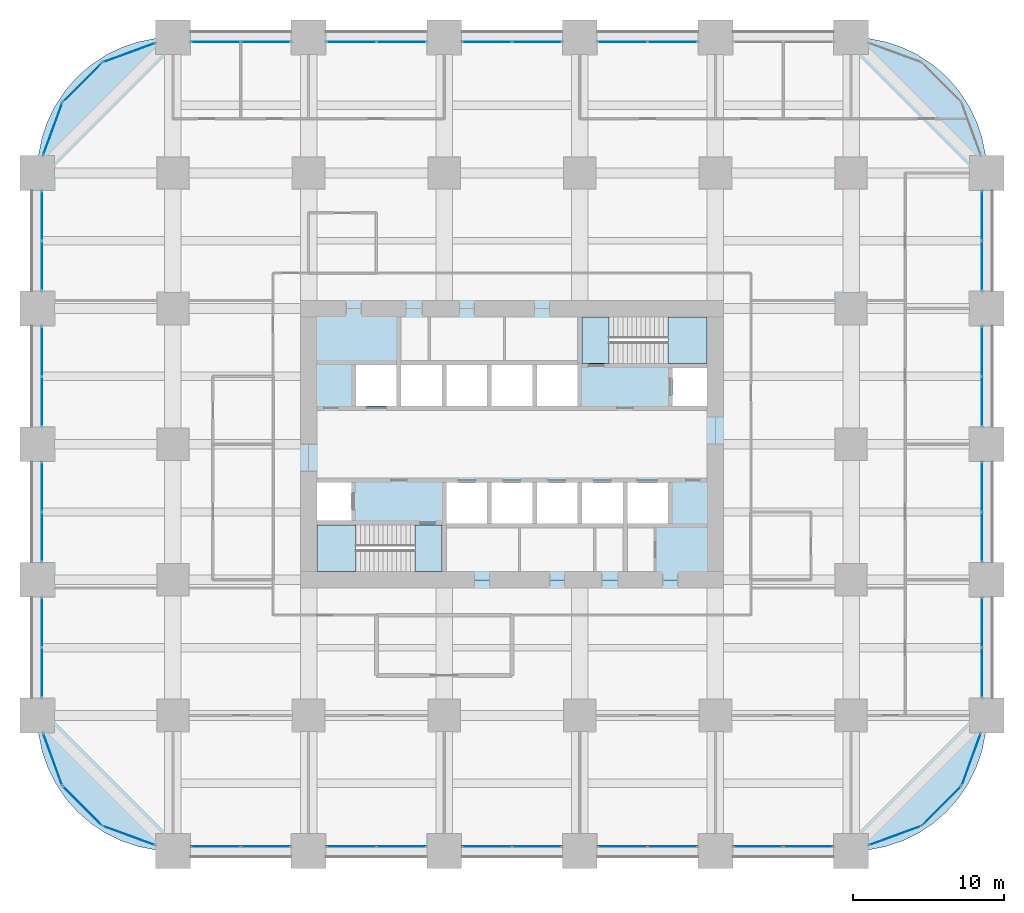
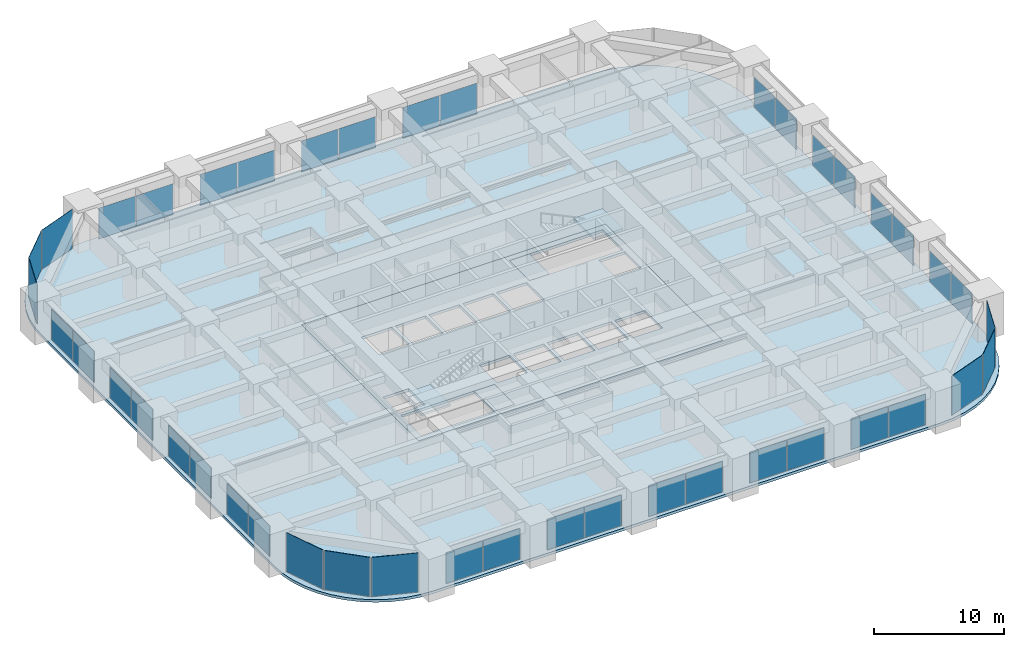
# One storey, part 38 of 44: 43 plates, 6 slabs, 28 elements without a shape of their own.
"""IFC4 building model written with IfcOpenShell, lengths in metres."""

from ifc_helpers import new_model, si_unit, direction, frame, origin, origin_2d, place, context, subcontext, project, spatial, polyline, rectangle, outline, extrude, material, layer, layer_set, type_object, element, aggregate, save


model = new_model("IFC4")

# Units and contexts
model_context = context("Model", 3, precision=1e-05, world=origin(), true_north=direction((0.0, 1.0)))
body_context = subcontext(model_context, "Body", "Model", "MODEL_VIEW")
ifc_project = project(units=[si_unit("LENGTHUNIT", "METRE"), si_unit("AREAUNIT", "SQUARE_METRE"), si_unit("VOLUMEUNIT", "CUBIC_METRE"), si_unit("PLANEANGLEUNIT", "RADIAN"), si_unit("MASSUNIT", "GRAM", prefix="KILO")], contexts=[model_context])

# Site, building, storey
site_placement = place(None, origin())
site = spatial("IfcSite", under=ifc_project, at=site_placement, CompositionType="ELEMENT")
building_placement = place(site_placement, origin())
building = spatial("IfcBuilding", under=site, at=building_placement, Name="Zorevar Civic Tower", CompositionType="ELEMENT")
storey_placement = place(building_placement, frame((0.0, 0.0, 55.800048828125)))
storey = spatial("IfcBuildingStorey", under=building, at=storey_placement, Name="L13", CompositionType="ELEMENT", Elevation=55.800048828125)

# Curtain wall, plates
ifc_material_1 = material(Name="Dark grey solar-control glass in black aluminium frame", Category="aluminium")
curtain_wall_type = type_object("IfcCurtainWallType", Name="Curtain wall CW2 low zone", PredefinedType="NOTDEFINED", material=ifc_material_1)
curtain_wall_1_placement = place(storey_placement, origin())
curtain_wall_1 = element("IfcCurtainWall", 1, at=curtain_wall_1_placement, inside=storey, type_object=curtain_wall_type, Name="CW2 L13", PredefinedType="NOTDEFINED")
ifc_material_2 = material(Name="Dark grey solar-control glass", Category="glass")
ifc_layer_1 = layer(ifc_material_2, 0.031982421875)
ifc_layer_set_1 = layer_set([ifc_layer_1], Name="CW2 panel 32")
plate_type = type_object("IfcPlateType", Name="CW2 panel 32", PredefinedType="CURTAIN_PANEL", material=ifc_layer_set_1)
plate_1_placement = place(storey_placement, frame((11.840087890625, 0.300048828125, 0.06005859375), z_axis=(0.0, 0.0, 1.0), x_axis=(1.0, 0.0, 0.0)))
plate_1 = element("IfcPlate", 2, at=plate_1_placement, type_object=plate_type, Name="CW2 panel 1.1", PredefinedType="CURTAIN_PANEL", context=body_context, shape_type="SweptSolid", body=[
    extrude(rectangle(XDim=3.260009765625, YDim=0.031982421875, at=origin_2d()), origin(), (0.0, 0.0, 1.0), 2.889892578125),
])
plate_2_placement = place(storey_placement, frame((15.159912109375, 0.300048828125, 0.06005859375), z_axis=(0.0, 0.0, 1.0), x_axis=(1.0, 0.0, 0.0)))
plate_2 = element("IfcPlate", 3, at=plate_2_placement, type_object=plate_type, Name="CW2 panel 2.1", PredefinedType="CURTAIN_PANEL", context=body_context, shape_type="SweptSolid", body=[
    extrude(rectangle(XDim=3.260009765625, YDim=0.031982421875, at=origin_2d()), origin(), (0.0, 0.0, 1.0), 2.889892578125),
])
aggregate(curtain_wall_1, [plate_1, plate_2])

curtain_wall_2_placement = place(storey_placement, origin())
curtain_wall_2 = element("IfcCurtainWall", 4, at=curtain_wall_2_placement, inside=storey, type_object=curtain_wall_type, Name="CW2 L13", PredefinedType="NOTDEFINED")
plate_3_placement = place(storey_placement, frame((11.840087890625, 53.699951171875, 0.06005859375), z_axis=(0.0, 0.0, 1.0), x_axis=(1.0, 0.0, 0.0)))
plate_3 = element("IfcPlate", 5, at=plate_3_placement, type_object=plate_type, Name="CW2 panel 1.1", PredefinedType="CURTAIN_PANEL", context=body_context, shape_type="SweptSolid", body=[
    extrude(rectangle(XDim=3.260009765625, YDim=0.031982421875, at=origin_2d()), origin(), (0.0, 0.0, 1.0), 2.889892578125),
])
plate_4_placement = place(storey_placement, frame((15.159912109375, 53.699951171875, 0.06005859375), z_axis=(0.0, 0.0, 1.0), x_axis=(1.0, 0.0, 0.0)))
plate_4 = element("IfcPlate", 6, at=plate_4_placement, type_object=plate_type, Name="CW2 panel 2.1", PredefinedType="CURTAIN_PANEL", context=body_context, shape_type="SweptSolid", body=[
    extrude(rectangle(XDim=3.260009765625, YDim=0.031982421875, at=origin_2d()), origin(), (0.0, 0.0, 1.0), 2.889892578125),
])
aggregate(curtain_wall_2, [plate_3, plate_4])

curtain_wall_3_placement = place(storey_placement, origin())
curtain_wall_3 = element("IfcCurtainWall", 7, at=curtain_wall_3_placement, inside=storey, type_object=curtain_wall_type, Name="CW2 L13", PredefinedType="NOTDEFINED")
plate_5_placement = place(storey_placement, frame((20.840087890625, 0.300048828125, 0.06005859375), z_axis=(0.0, 0.0, 1.0), x_axis=(1.0, 0.0, 0.0)))
plate_5 = element("IfcPlate", 8, at=plate_5_placement, type_object=plate_type, Name="CW2 panel 1.1", PredefinedType="CURTAIN_PANEL", context=body_context, shape_type="SweptSolid", body=[
    extrude(rectangle(XDim=3.260009765625, YDim=0.031982421875, at=origin_2d()), origin(), (0.0, 0.0, 1.0), 2.889892578125),
])
plate_6_placement = place(storey_placement, frame((24.159912109375, 0.300048828125, 0.06005859375), z_axis=(0.0, 0.0, 1.0), x_axis=(1.0, 0.0, 0.0)))
plate_6 = element("IfcPlate", 9, at=plate_6_placement, type_object=plate_type, Name="CW2 panel 2.1", PredefinedType="CURTAIN_PANEL", context=body_context, shape_type="SweptSolid", body=[
    extrude(rectangle(XDim=3.260009765625, YDim=0.031982421875, at=origin_2d()), origin(), (0.0, 0.0, 1.0), 2.889892578125),
])
aggregate(curtain_wall_3, [plate_5, plate_6])

curtain_wall_4_placement = place(storey_placement, origin())
curtain_wall_4 = element("IfcCurtainWall", 10, at=curtain_wall_4_placement, inside=storey, type_object=curtain_wall_type, Name="CW2 L13", PredefinedType="NOTDEFINED")
plate_7_placement = place(storey_placement, frame((20.840087890625, 53.699951171875, 0.06005859375), z_axis=(0.0, 0.0, 1.0), x_axis=(1.0, 0.0, 0.0)))
plate_7 = element("IfcPlate", 11, at=plate_7_placement, type_object=plate_type, Name="CW2 panel 1.1", PredefinedType="CURTAIN_PANEL", context=body_context, shape_type="SweptSolid", body=[
    extrude(rectangle(XDim=3.260009765625, YDim=0.031982421875, at=origin_2d()), origin(), (0.0, 0.0, 1.0), 2.889892578125),
])
plate_8_placement = place(storey_placement, frame((24.159912109375, 53.699951171875, 0.06005859375), z_axis=(0.0, 0.0, 1.0), x_axis=(1.0, 0.0, 0.0)))
plate_8 = element("IfcPlate", 12, at=plate_8_placement, type_object=plate_type, Name="CW2 panel 2.1", PredefinedType="CURTAIN_PANEL", context=body_context, shape_type="SweptSolid", body=[
    extrude(rectangle(XDim=3.260009765625, YDim=0.031982421875, at=origin_2d()), origin(), (0.0, 0.0, 1.0), 2.889892578125),
])
aggregate(curtain_wall_4, [plate_7, plate_8])

curtain_wall_5_placement = place(storey_placement, origin())
curtain_wall_5 = element("IfcCurtainWall", 13, at=curtain_wall_5_placement, inside=storey, type_object=curtain_wall_type, Name="CW2 L13", PredefinedType="NOTDEFINED")
plate_9_placement = place(storey_placement, frame((29.840087890625, 0.300048828125, 0.06005859375), z_axis=(0.0, 0.0, 1.0), x_axis=(1.0, 0.0, 0.0)))
plate_9 = element("IfcPlate", 14, at=plate_9_placement, type_object=plate_type, Name="CW2 panel 1.1", PredefinedType="CURTAIN_PANEL", context=body_context, shape_type="SweptSolid", body=[
    extrude(rectangle(XDim=3.260009765625, YDim=0.031982421875, at=origin_2d()), origin(), (0.0, 0.0, 1.0), 2.889892578125),
])
plate_10_placement = place(storey_placement, frame((33.159912109375, 0.300048828125, 0.06005859375), z_axis=(0.0, 0.0, 1.0), x_axis=(1.0, 0.0, 0.0)))
plate_10 = element("IfcPlate", 15, at=plate_10_placement, type_object=plate_type, Name="CW2 panel 2.1", PredefinedType="CURTAIN_PANEL", context=body_context, shape_type="SweptSolid", body=[
    extrude(rectangle(XDim=3.260009765625, YDim=0.031982421875, at=origin_2d()), origin(), (0.0, 0.0, 1.0), 2.889892578125),
])
aggregate(curtain_wall_5, [plate_9, plate_10])

curtain_wall_6_placement = place(storey_placement, origin())
curtain_wall_6 = element("IfcCurtainWall", 16, at=curtain_wall_6_placement, inside=storey, type_object=curtain_wall_type, Name="CW2 L13", PredefinedType="NOTDEFINED")
plate_11_placement = place(storey_placement, frame((29.840087890625, 53.699951171875, 0.06005859375), z_axis=(0.0, 0.0, 1.0), x_axis=(1.0, 0.0, 0.0)))
plate_11 = element("IfcPlate", 17, at=plate_11_placement, type_object=plate_type, Name="CW2 panel 1.1", PredefinedType="CURTAIN_PANEL", context=body_context, shape_type="SweptSolid", body=[
    extrude(rectangle(XDim=3.260009765625, YDim=0.031982421875, at=origin_2d()), origin(), (0.0, 0.0, 1.0), 2.889892578125),
])
plate_12_placement = place(storey_placement, frame((33.159912109375, 53.699951171875, 0.06005859375), z_axis=(0.0, 0.0, 1.0), x_axis=(1.0, 0.0, 0.0)))
plate_12 = element("IfcPlate", 18, at=plate_12_placement, type_object=plate_type, Name="CW2 panel 2.1", PredefinedType="CURTAIN_PANEL", context=body_context, shape_type="SweptSolid", body=[
    extrude(rectangle(XDim=3.260009765625, YDim=0.031982421875, at=origin_2d()), origin(), (0.0, 0.0, 1.0), 2.889892578125),
])
aggregate(curtain_wall_6, [plate_11, plate_12])

curtain_wall_7_placement = place(storey_placement, origin())
curtain_wall_7 = element("IfcCurtainWall", 19, at=curtain_wall_7_placement, inside=storey, type_object=curtain_wall_type, Name="CW2 L13", PredefinedType="NOTDEFINED")
plate_13_placement = place(storey_placement, frame((38.840087890625, 0.300048828125, 0.06005859375), z_axis=(0.0, 0.0, 1.0), x_axis=(1.0, 0.0, 0.0)))
plate_13 = element("IfcPlate", 20, at=plate_13_placement, type_object=plate_type, Name="CW2 panel 1.1", PredefinedType="CURTAIN_PANEL", context=body_context, shape_type="SweptSolid", body=[
    extrude(rectangle(XDim=3.260009765625, YDim=0.031982421875, at=origin_2d()), origin(), (0.0, 0.0, 1.0), 2.889892578125),
])
plate_14_placement = place(storey_placement, frame((42.159912109375, 0.300048828125, 0.06005859375), z_axis=(0.0, 0.0, 1.0), x_axis=(1.0, 0.0, 0.0)))
plate_14 = element("IfcPlate", 21, at=plate_14_placement, type_object=plate_type, Name="CW2 panel 2.1", PredefinedType="CURTAIN_PANEL", context=body_context, shape_type="SweptSolid", body=[
    extrude(rectangle(XDim=3.260009765625, YDim=0.031982421875, at=origin_2d()), origin(), (0.0, 0.0, 1.0), 2.889892578125),
])
aggregate(curtain_wall_7, [plate_13, plate_14])

curtain_wall_8_placement = place(storey_placement, origin())
curtain_wall_8 = element("IfcCurtainWall", 22, at=curtain_wall_8_placement, inside=storey, type_object=curtain_wall_type, Name="CW2 L13", PredefinedType="NOTDEFINED")
plate_15_placement = place(storey_placement, frame((38.840087890625, 53.699951171875, 0.06005859375), z_axis=(0.0, 0.0, 1.0), x_axis=(1.0, 0.0, 0.0)))
plate_15 = element("IfcPlate", 23, at=plate_15_placement, type_object=plate_type, Name="CW2 panel 1.1", PredefinedType="CURTAIN_PANEL", context=body_context, shape_type="SweptSolid", body=[
    extrude(rectangle(XDim=3.260009765625, YDim=0.031982421875, at=origin_2d()), origin(), (0.0, 0.0, 1.0), 2.889892578125),
])
plate_16_placement = place(storey_placement, frame((42.159912109375, 53.699951171875, 0.06005859375), z_axis=(0.0, 0.0, 1.0), x_axis=(1.0, 0.0, 0.0)))
plate_16 = element("IfcPlate", 24, at=plate_16_placement, type_object=plate_type, Name="CW2 panel 2.1", PredefinedType="CURTAIN_PANEL", context=body_context, shape_type="SweptSolid", body=[
    extrude(rectangle(XDim=3.260009765625, YDim=0.031982421875, at=origin_2d()), origin(), (0.0, 0.0, 1.0), 2.889892578125),
])
aggregate(curtain_wall_8, [plate_15, plate_16])

curtain_wall_9_placement = place(storey_placement, origin())
curtain_wall_9 = element("IfcCurtainWall", 25, at=curtain_wall_9_placement, inside=storey, type_object=curtain_wall_type, Name="CW2 L13", PredefinedType="NOTDEFINED")
plate_17_placement = place(storey_placement, frame((47.840087890625, 0.300048828125, 0.06005859375), z_axis=(0.0, 0.0, 1.0), x_axis=(1.0, 0.0, 0.0)))
plate_17 = element("IfcPlate", 26, at=plate_17_placement, type_object=plate_type, Name="CW2 panel 1.1", PredefinedType="CURTAIN_PANEL", context=body_context, shape_type="SweptSolid", body=[
    extrude(rectangle(XDim=3.260009765625, YDim=0.031982421875, at=origin_2d()), origin(), (0.0, 0.0, 1.0), 2.889892578125),
])
plate_18_placement = place(storey_placement, frame((51.159912109375, 0.300048828125, 0.06005859375), z_axis=(0.0, 0.0, 1.0), x_axis=(1.0, 0.0, 0.0)))
plate_18 = element("IfcPlate", 27, at=plate_18_placement, type_object=plate_type, Name="CW2 panel 2.1", PredefinedType="CURTAIN_PANEL", context=body_context, shape_type="SweptSolid", body=[
    extrude(rectangle(XDim=3.260009765625, YDim=0.031982421875, at=origin_2d()), origin(), (0.0, 0.0, 1.0), 2.889892578125),
])
aggregate(curtain_wall_9, [plate_17, plate_18])

curtain_wall_10_placement = place(storey_placement, origin())
curtain_wall_10 = element("IfcCurtainWall", 28, at=curtain_wall_10_placement, inside=storey, type_object=curtain_wall_type, Name="CW2 L13", PredefinedType="NOTDEFINED")
plate_19_placement = place(storey_placement, frame((0.300048828125, 11.840087890625, 0.06005859375), z_axis=(0.0, 0.0, 1.0), x_axis=(0.0, 1.0, 0.0)))
plate_19 = element("IfcPlate", 29, at=plate_19_placement, type_object=plate_type, Name="CW2 panel 1.1", PredefinedType="CURTAIN_PANEL", context=body_context, shape_type="SweptSolid", body=[
    extrude(rectangle(XDim=3.260009765625, YDim=0.031982421875, at=origin_2d()), origin(), (0.0, 0.0, 1.0), 2.889892578125),
])
plate_20_placement = place(storey_placement, frame((0.300048828125, 15.159912109375, 0.06005859375), z_axis=(0.0, 0.0, 1.0), x_axis=(0.0, 1.0, 0.0)))
plate_20 = element("IfcPlate", 30, at=plate_20_placement, type_object=plate_type, Name="CW2 panel 2.1", PredefinedType="CURTAIN_PANEL", context=body_context, shape_type="SweptSolid", body=[
    extrude(rectangle(XDim=3.260009765625, YDim=0.031982421875, at=origin_2d()), origin(), (0.0, 0.0, 1.0), 2.889892578125),
])
aggregate(curtain_wall_10, [plate_19, plate_20])

curtain_wall_11_placement = place(storey_placement, origin())
curtain_wall_11 = element("IfcCurtainWall", 31, at=curtain_wall_11_placement, inside=storey, type_object=curtain_wall_type, Name="CW2 L13", PredefinedType="NOTDEFINED")
plate_21_placement = place(storey_placement, frame((62.699951171875, 11.840087890625, 0.06005859375), z_axis=(0.0, 0.0, 1.0), x_axis=(0.0, 1.0, 0.0)))
plate_21 = element("IfcPlate", 32, at=plate_21_placement, type_object=plate_type, Name="CW2 panel 1.1", PredefinedType="CURTAIN_PANEL", context=body_context, shape_type="SweptSolid", body=[
    extrude(rectangle(XDim=3.260009765625, YDim=0.031982421875, at=origin_2d()), origin(), (0.0, 0.0, 1.0), 2.889892578125),
])
plate_22_placement = place(storey_placement, frame((62.699951171875, 15.159912109375, 0.06005859375), z_axis=(0.0, 0.0, 1.0), x_axis=(0.0, 1.0, 0.0)))
plate_22 = element("IfcPlate", 33, at=plate_22_placement, type_object=plate_type, Name="CW2 panel 2.1", PredefinedType="CURTAIN_PANEL", context=body_context, shape_type="SweptSolid", body=[
    extrude(rectangle(XDim=3.260009765625, YDim=0.031982421875, at=origin_2d()), origin(), (0.0, 0.0, 1.0), 2.889892578125),
])
aggregate(curtain_wall_11, [plate_21, plate_22])

curtain_wall_12_placement = place(storey_placement, origin())
curtain_wall_12 = element("IfcCurtainWall", 34, at=curtain_wall_12_placement, inside=storey, type_object=curtain_wall_type, Name="CW2 L13", PredefinedType="NOTDEFINED")
plate_23_placement = place(storey_placement, frame((0.300048828125, 20.840087890625, 0.06005859375), z_axis=(0.0, 0.0, 1.0), x_axis=(0.0, 1.0, 0.0)))
plate_23 = element("IfcPlate", 35, at=plate_23_placement, type_object=plate_type, Name="CW2 panel 1.1", PredefinedType="CURTAIN_PANEL", context=body_context, shape_type="SweptSolid", body=[
    extrude(rectangle(XDim=3.260009765625, YDim=0.031982421875, at=origin_2d()), origin(), (0.0, 0.0, 1.0), 2.889892578125),
])
plate_24_placement = place(storey_placement, frame((0.300048828125, 24.159912109375, 0.06005859375), z_axis=(0.0, 0.0, 1.0), x_axis=(0.0, 1.0, 0.0)))
plate_24 = element("IfcPlate", 36, at=plate_24_placement, type_object=plate_type, Name="CW2 panel 2.1", PredefinedType="CURTAIN_PANEL", context=body_context, shape_type="SweptSolid", body=[
    extrude(rectangle(XDim=3.260009765625, YDim=0.031982421875, at=origin_2d()), origin(), (0.0, 0.0, 1.0), 2.889892578125),
])
aggregate(curtain_wall_12, [plate_23, plate_24])

curtain_wall_13_placement = place(storey_placement, origin())
curtain_wall_13 = element("IfcCurtainWall", 37, at=curtain_wall_13_placement, inside=storey, type_object=curtain_wall_type, Name="CW2 L13", PredefinedType="NOTDEFINED")
plate_25_placement = place(storey_placement, frame((62.699951171875, 20.840087890625, 0.06005859375), z_axis=(0.0, 0.0, 1.0), x_axis=(0.0, 1.0, 0.0)))
plate_25 = element("IfcPlate", 38, at=plate_25_placement, type_object=plate_type, Name="CW2 panel 1.1", PredefinedType="CURTAIN_PANEL", context=body_context, shape_type="SweptSolid", body=[
    extrude(rectangle(XDim=3.260009765625, YDim=0.031982421875, at=origin_2d()), origin(), (0.0, 0.0, 1.0), 2.889892578125),
])
plate_26_placement = place(storey_placement, frame((62.699951171875, 24.159912109375, 0.06005859375), z_axis=(0.0, 0.0, 1.0), x_axis=(0.0, 1.0, 0.0)))
plate_26 = element("IfcPlate", 39, at=plate_26_placement, type_object=plate_type, Name="CW2 panel 2.1", PredefinedType="CURTAIN_PANEL", context=body_context, shape_type="SweptSolid", body=[
    extrude(rectangle(XDim=3.260009765625, YDim=0.031982421875, at=origin_2d()), origin(), (0.0, 0.0, 1.0), 2.889892578125),
])
aggregate(curtain_wall_13, [plate_25, plate_26])

curtain_wall_14_placement = place(storey_placement, origin())
curtain_wall_14 = element("IfcCurtainWall", 40, at=curtain_wall_14_placement, inside=storey, type_object=curtain_wall_type, Name="CW2 L13", PredefinedType="NOTDEFINED")
plate_27_placement = place(storey_placement, frame((0.300048828125, 29.840087890625, 0.06005859375), z_axis=(0.0, 0.0, 1.0), x_axis=(0.0, 1.0, 0.0)))
plate_27 = element("IfcPlate", 41, at=plate_27_placement, type_object=plate_type, Name="CW2 panel 1.1", PredefinedType="CURTAIN_PANEL", context=body_context, shape_type="SweptSolid", body=[
    extrude(rectangle(XDim=3.260009765625, YDim=0.031982421875, at=origin_2d()), origin(), (0.0, 0.0, 1.0), 2.889892578125),
])
plate_28_placement = place(storey_placement, frame((0.300048828125, 33.159912109375, 0.06005859375), z_axis=(0.0, 0.0, 1.0), x_axis=(0.0, 1.0, 0.0)))
plate_28 = element("IfcPlate", 42, at=plate_28_placement, type_object=plate_type, Name="CW2 panel 2.1", PredefinedType="CURTAIN_PANEL", context=body_context, shape_type="SweptSolid", body=[
    extrude(rectangle(XDim=3.260009765625, YDim=0.031982421875, at=origin_2d()), origin(), (0.0, 0.0, 1.0), 2.889892578125),
])
aggregate(curtain_wall_14, [plate_27, plate_28])

curtain_wall_15_placement = place(storey_placement, origin())
curtain_wall_15 = element("IfcCurtainWall", 43, at=curtain_wall_15_placement, inside=storey, type_object=curtain_wall_type, Name="CW2 L13", PredefinedType="NOTDEFINED")
plate_29_placement = place(storey_placement, frame((62.699951171875, 29.840087890625, 0.06005859375), z_axis=(0.0, 0.0, 1.0), x_axis=(0.0, 1.0, 0.0)))
plate_29 = element("IfcPlate", 44, at=plate_29_placement, type_object=plate_type, Name="CW2 panel 1.1", PredefinedType="CURTAIN_PANEL", context=body_context, shape_type="SweptSolid", body=[
    extrude(rectangle(XDim=3.260009765625, YDim=0.031982421875, at=origin_2d()), origin(), (0.0, 0.0, 1.0), 2.889892578125),
])
plate_30_placement = place(storey_placement, frame((62.699951171875, 33.159912109375, 0.06005859375), z_axis=(0.0, 0.0, 1.0), x_axis=(0.0, 1.0, 0.0)))
plate_30 = element("IfcPlate", 45, at=plate_30_placement, type_object=plate_type, Name="CW2 panel 2.1", PredefinedType="CURTAIN_PANEL", context=body_context, shape_type="SweptSolid", body=[
    extrude(rectangle(XDim=3.260009765625, YDim=0.031982421875, at=origin_2d()), origin(), (0.0, 0.0, 1.0), 2.889892578125),
])
aggregate(curtain_wall_15, [plate_29, plate_30])

curtain_wall_16_placement = place(storey_placement, origin())
curtain_wall_16 = element("IfcCurtainWall", 46, at=curtain_wall_16_placement, inside=storey, type_object=curtain_wall_type, Name="CW2 L13", PredefinedType="NOTDEFINED")
plate_31_placement = place(storey_placement, frame((0.300048828125, 38.840087890625, 0.06005859375), z_axis=(0.0, 0.0, 1.0), x_axis=(0.0, 1.0, 0.0)))
plate_31 = element("IfcPlate", 47, at=plate_31_placement, type_object=plate_type, Name="CW2 panel 1.1", PredefinedType="CURTAIN_PANEL", context=body_context, shape_type="SweptSolid", body=[
    extrude(rectangle(XDim=3.260009765625, YDim=0.031982421875, at=origin_2d()), origin(), (0.0, 0.0, 1.0), 2.889892578125),
])
plate_32_placement = place(storey_placement, frame((0.300048828125, 42.159912109375, 0.06005859375), z_axis=(0.0, 0.0, 1.0), x_axis=(0.0, 1.0, 0.0)))
plate_32 = element("IfcPlate", 48, at=plate_32_placement, type_object=plate_type, Name="CW2 panel 2.1", PredefinedType="CURTAIN_PANEL", context=body_context, shape_type="SweptSolid", body=[
    extrude(rectangle(XDim=3.260009765625, YDim=0.031982421875, at=origin_2d()), origin(), (0.0, 0.0, 1.0), 2.889892578125),
])
aggregate(curtain_wall_16, [plate_31, plate_32])

curtain_wall_17_placement = place(storey_placement, origin())
curtain_wall_17 = element("IfcCurtainWall", 49, at=curtain_wall_17_placement, inside=storey, type_object=curtain_wall_type, Name="CW2 L13", PredefinedType="NOTDEFINED")
plate_33_placement = place(storey_placement, frame((62.699951171875, 38.840087890625, 0.06005859375), z_axis=(0.0, 0.0, 1.0), x_axis=(0.0, 1.0, 0.0)))
plate_33 = element("IfcPlate", 50, at=plate_33_placement, type_object=plate_type, Name="CW2 panel 1.1", PredefinedType="CURTAIN_PANEL", context=body_context, shape_type="SweptSolid", body=[
    extrude(rectangle(XDim=3.260009765625, YDim=0.031982421875, at=origin_2d()), origin(), (0.0, 0.0, 1.0), 2.889892578125),
])
plate_34_placement = place(storey_placement, frame((62.699951171875, 42.159912109375, 0.06005859375), z_axis=(0.0, 0.0, 1.0), x_axis=(0.0, 1.0, 0.0)))
plate_34 = element("IfcPlate", 51, at=plate_34_placement, type_object=plate_type, Name="CW2 panel 2.1", PredefinedType="CURTAIN_PANEL", context=body_context, shape_type="SweptSolid", body=[
    extrude(rectangle(XDim=3.260009765625, YDim=0.031982421875, at=origin_2d()), origin(), (0.0, 0.0, 1.0), 2.889892578125),
])
aggregate(curtain_wall_17, [plate_33, plate_34])

# Curtain wall, plate
curtain_wall_18_placement = place(storey_placement, origin())
curtain_wall_18 = element("IfcCurtainWall", 52, at=curtain_wall_18_placement, inside=storey, type_object=curtain_wall_type, Name="CW2 L13", PredefinedType="NOTDEFINED")
plate_35_placement = place(storey_placement, frame((56.914306640625, 1.020751953125, 0.06005859375), z_axis=(0.0, 0.0, 1.0), x_axis=(0.939313345732, 0.343060400701, 0.0)))
plate_35 = element("IfcPlate", 53, at=plate_35_placement, type_object=plate_type, Name="CW2 panel 1.1", PredefinedType="CURTAIN_PANEL", context=body_context, shape_type="SweptSolid", body=[
    extrude(rectangle(XDim=3.636474609375, YDim=0.031982421875, at=origin_2d()), origin(), (0.0, 0.0, 1.0), 3.68994140625),
])
aggregate(curtain_wall_18, [plate_35])

curtain_wall_19_placement = place(storey_placement, origin())
curtain_wall_19 = element("IfcCurtainWall", 54, at=curtain_wall_19_placement, inside=storey, type_object=curtain_wall_type, Name="CW2 L13", PredefinedType="NOTDEFINED")
plate_36_placement = place(storey_placement, frame((60.0068359375, 2.9931640625, 0.06005859375), z_axis=(0.0, 0.0, 1.0), x_axis=(0.707106781187, 0.707106781187, 0.0)))
plate_36 = element("IfcPlate", 55, at=plate_36_placement, type_object=plate_type, Name="CW2 panel 1.1", PredefinedType="CURTAIN_PANEL", context=body_context, shape_type="SweptSolid", body=[
    extrude(rectangle(XDim=3.636474609375, YDim=0.031982421875, at=origin_2d()), origin(), (0.0, 0.0, 1.0), 3.68994140625),
])
aggregate(curtain_wall_19, [plate_36])

curtain_wall_20_placement = place(storey_placement, origin())
curtain_wall_20 = element("IfcCurtainWall", 56, at=curtain_wall_20_placement, inside=storey, type_object=curtain_wall_type, Name="CW2 L13", PredefinedType="NOTDEFINED")
plate_37_placement = place(storey_placement, frame((61.979248046875, 6.085693359375, 0.06005859375), z_axis=(0.0, 0.0, 1.0), x_axis=(0.343060400701, 0.939313345732, 0.0)))
plate_37 = element("IfcPlate", 57, at=plate_37_placement, type_object=plate_type, Name="CW2 panel 1.1", PredefinedType="CURTAIN_PANEL", context=body_context, shape_type="SweptSolid", body=[
    extrude(rectangle(XDim=3.636474609375, YDim=0.031982421875, at=origin_2d()), origin(), (0.0, 0.0, 1.0), 3.68994140625),
])
aggregate(curtain_wall_20, [plate_37])

curtain_wall_21_placement = place(storey_placement, origin())
curtain_wall_21 = element("IfcCurtainWall", 58, at=curtain_wall_21_placement, inside=storey, type_object=curtain_wall_type, Name="CW2 L13", PredefinedType="NOTDEFINED")
plate_38_placement = place(storey_placement, frame((6.085693359375, 52.979248046875, 0.06005859375), z_axis=(0.0, 0.0, 1.0), x_axis=(-0.939313345732, -0.343060400701, 0.0)))
plate_38 = element("IfcPlate", 59, at=plate_38_placement, type_object=plate_type, Name="CW2 panel 1.1", PredefinedType="CURTAIN_PANEL", context=body_context, shape_type="SweptSolid", body=[
    extrude(rectangle(XDim=3.636474609375, YDim=0.031982421875, at=origin_2d()), origin(), (0.0, 0.0, 1.0), 3.68994140625),
])
aggregate(curtain_wall_21, [plate_38])

curtain_wall_22_placement = place(storey_placement, origin())
curtain_wall_22 = element("IfcCurtainWall", 60, at=curtain_wall_22_placement, inside=storey, type_object=curtain_wall_type, Name="CW2 L13", PredefinedType="NOTDEFINED")
plate_39_placement = place(storey_placement, frame((2.9931640625, 51.0068359375, 0.06005859375), z_axis=(0.0, 0.0, 1.0), x_axis=(-0.707106781187, -0.707106781187, 0.0)))
plate_39 = element("IfcPlate", 61, at=plate_39_placement, type_object=plate_type, Name="CW2 panel 1.1", PredefinedType="CURTAIN_PANEL", context=body_context, shape_type="SweptSolid", body=[
    extrude(rectangle(XDim=3.636474609375, YDim=0.031982421875, at=origin_2d()), origin(), (0.0, 0.0, 1.0), 3.68994140625),
])
aggregate(curtain_wall_22, [plate_39])

curtain_wall_23_placement = place(storey_placement, origin())
curtain_wall_23 = element("IfcCurtainWall", 62, at=curtain_wall_23_placement, inside=storey, type_object=curtain_wall_type, Name="CW2 L13", PredefinedType="NOTDEFINED")
plate_40_placement = place(storey_placement, frame((1.020751953125, 47.914306640625, 0.06005859375), z_axis=(0.0, 0.0, 1.0), x_axis=(-0.343060400701, -0.939313345732, 0.0)))
plate_40 = element("IfcPlate", 63, at=plate_40_placement, type_object=plate_type, Name="CW2 panel 1.1", PredefinedType="CURTAIN_PANEL", context=body_context, shape_type="SweptSolid", body=[
    extrude(rectangle(XDim=3.636474609375, YDim=0.031982421875, at=origin_2d()), origin(), (0.0, 0.0, 1.0), 3.68994140625),
])
aggregate(curtain_wall_23, [plate_40])

curtain_wall_24_placement = place(storey_placement, origin())
curtain_wall_24 = element("IfcCurtainWall", 64, at=curtain_wall_24_placement, inside=storey, type_object=curtain_wall_type, Name="CW2 L13", PredefinedType="NOTDEFINED")
plate_41_placement = place(storey_placement, frame((1.020751953125, 6.085693359375, 0.06005859375), z_axis=(0.0, 0.0, 1.0), x_axis=(0.343060400701, -0.939313345732, 0.0)))
plate_41 = element("IfcPlate", 65, at=plate_41_placement, type_object=plate_type, Name="CW2 panel 1.1", PredefinedType="CURTAIN_PANEL", context=body_context, shape_type="SweptSolid", body=[
    extrude(rectangle(XDim=3.636474609375, YDim=0.031982421875, at=origin_2d()), origin(), (0.0, 0.0, 1.0), 3.68994140625),
])
aggregate(curtain_wall_24, [plate_41])

curtain_wall_25_placement = place(storey_placement, origin())
curtain_wall_25 = element("IfcCurtainWall", 66, at=curtain_wall_25_placement, inside=storey, type_object=curtain_wall_type, Name="CW2 L13", PredefinedType="NOTDEFINED")
plate_42_placement = place(storey_placement, frame((2.9931640625, 2.9931640625, 0.06005859375), z_axis=(0.0, 0.0, 1.0), x_axis=(0.707106781187, -0.707106781187, 0.0)))
plate_42 = element("IfcPlate", 67, at=plate_42_placement, type_object=plate_type, Name="CW2 panel 1.1", PredefinedType="CURTAIN_PANEL", context=body_context, shape_type="SweptSolid", body=[
    extrude(rectangle(XDim=3.636474609375, YDim=0.031982421875, at=origin_2d()), origin(), (0.0, 0.0, 1.0), 3.68994140625),
])
aggregate(curtain_wall_25, [plate_42])

curtain_wall_26_placement = place(storey_placement, origin())
curtain_wall_26 = element("IfcCurtainWall", 68, at=curtain_wall_26_placement, inside=storey, type_object=curtain_wall_type, Name="CW2 L13", PredefinedType="NOTDEFINED")
plate_43_placement = place(storey_placement, frame((6.085693359375, 1.020751953125, 0.06005859375), z_axis=(0.0, 0.0, 1.0), x_axis=(0.939313345732, -0.343060400701, 0.0)))
plate_43 = element("IfcPlate", 69, at=plate_43_placement, type_object=plate_type, Name="CW2 panel 1.1", PredefinedType="CURTAIN_PANEL", context=body_context, shape_type="SweptSolid", body=[
    extrude(rectangle(XDim=3.636474609375, YDim=0.031982421875, at=origin_2d()), origin(), (0.0, 0.0, 1.0), 3.68994140625),
])
aggregate(curtain_wall_26, [plate_43])

# Slabs
ifc_material_3 = material(Name="Concrete C40/50", Category="concrete")
ifc_layer_2 = layer(ifc_material_3, 0.25)
ifc_layer_set_2 = layer_set([ifc_layer_2], Name="Floor slab 250")
slab_type_1 = type_object("IfcSlabType", Name="Floor slab 250", PredefinedType="FLOOR", material=ifc_layer_set_2)
slab_1_placement = place(storey_placement, frame((0.0, 0.0, -0.25)))
element("IfcSlab", 70, at=slab_1_placement, inside=storey, type_object=slab_type_1, Name="Floor slab L13", PredefinedType="FLOOR", context=body_context, shape_type="SweptSolid", body=[
    extrude(outline(polyline([(54.0, 0.0), (55.1748046875, 0.076904296875), (56.329345703125, 0.306640625), (57.444091796875, 0.68505859375), (58.5, 1.205810546875), (59.478759765625, 1.85986328125), (60.364013671875, 2.635986328125), (61.14013671875, 3.521240234375), (61.794189453125, 4.5), (62.31494140625, 5.555908203125), (62.693359375, 6.670654296875), (62.923095703125, 7.8251953125), (63.0, 9.0), (63.0, 45.0), (62.923095703125, 46.1748046875), (62.693359375, 47.329345703125), (62.31494140625, 48.444091796875), (61.794189453125, 49.5), (61.14013671875, 50.478759765625), (60.364013671875, 51.364013671875), (59.478759765625, 52.14013671875), (58.5, 52.794189453125), (57.444091796875, 53.31494140625), (56.329345703125, 53.693359375), (55.1748046875, 53.923095703125), (54.0, 54.0), (9.0, 54.0), (7.8251953125, 53.923095703125), (6.670654296875, 53.693359375), (5.555908203125, 53.31494140625), (4.5, 52.794189453125), (3.521240234375, 52.14013671875), (2.635986328125, 51.364013671875), (1.85986328125, 50.478759765625), (1.205810546875, 49.5), (0.68505859375, 48.444091796875), (0.306640625, 47.329345703125), (0.076904296875, 46.1748046875), (0.0, 45.0), (0.0, 9.0), (0.076904296875, 7.8251953125), (0.306640625, 6.670654296875), (0.68505859375, 5.555908203125), (1.205810546875, 4.5), (1.85986328125, 3.521240234375), (2.635986328125, 2.635986328125), (3.521240234375, 1.85986328125), (4.5, 1.205810546875), (5.555908203125, 0.68505859375), (6.670654296875, 0.306640625), (7.8251953125, 0.076904296875), (9.0, 0.0), (54.0, 0.0)]), holes=[polyline([(18.0, 18.0), (45.0, 18.0), (45.0, 36.0), (18.0, 36.0), (18.0, 18.0)])]), origin(), (0.0, 0.0, 1.0), 0.25),
])
slab_2_placement = place(storey_placement, frame((0.0, 0.0, -0.25)))
element("IfcSlab", 71, at=slab_2_placement, inside=storey, type_object=slab_type_1, Name="Core floor L13", PredefinedType="FLOOR", context=body_context, shape_type="SweptSolid", body=[
    extrude(outline(polyline([(18.0, 18.0), (45.0, 18.0), (45.0, 36.0), (18.0, 36.0), (18.0, 18.0)]), holes=[polyline([(18.550048828125, 18.550048828125), (26.85009765625, 18.550048828125), (26.85009765625, 21.64990234375), (18.550048828125, 21.64990234375), (18.550048828125, 18.550048828125)]), polyline([(36.14990234375, 32.35009765625), (44.449951171875, 32.35009765625), (44.449951171875, 35.449951171875), (36.14990234375, 35.449951171875), (36.14990234375, 32.35009765625)]), polyline([(18.550048828125, 21.949951171875), (20.85009765625, 21.949951171875), (20.85009765625, 24.449951171875), (18.550048828125, 24.449951171875), (18.550048828125, 21.949951171875)]), polyline([(42.14990234375, 29.550048828125), (44.449951171875, 29.550048828125), (44.449951171875, 32.050048828125), (42.14990234375, 32.050048828125), (42.14990234375, 29.550048828125)]), polyline([(27.14990234375, 21.75), (29.85009765625, 21.75), (29.85009765625, 24.449951171875), (27.14990234375, 24.449951171875), (27.14990234375, 21.75)]), polyline([(33.14990234375, 29.550048828125), (35.85009765625, 29.550048828125), (35.85009765625, 32.25), (33.14990234375, 32.25), (33.14990234375, 29.550048828125)]), polyline([(30.14990234375, 21.75), (32.85009765625, 21.75), (32.85009765625, 24.449951171875), (30.14990234375, 24.449951171875), (30.14990234375, 21.75)]), polyline([(30.14990234375, 29.550048828125), (32.85009765625, 29.550048828125), (32.85009765625, 32.25), (30.14990234375, 32.25), (30.14990234375, 29.550048828125)]), polyline([(33.14990234375, 21.75), (35.85009765625, 21.75), (35.85009765625, 24.449951171875), (33.14990234375, 24.449951171875), (33.14990234375, 21.75)]), polyline([(27.14990234375, 29.550048828125), (29.85009765625, 29.550048828125), (29.85009765625, 32.25), (27.14990234375, 32.25), (27.14990234375, 29.550048828125)]), polyline([(36.14990234375, 21.75), (38.85009765625, 21.75), (38.85009765625, 24.449951171875), (36.14990234375, 24.449951171875), (36.14990234375, 21.75)]), polyline([(24.14990234375, 29.550048828125), (26.85009765625, 29.550048828125), (26.85009765625, 32.25), (24.14990234375, 32.25), (24.14990234375, 29.550048828125)]), polyline([(39.14990234375, 21.75), (41.85009765625, 21.75), (41.85009765625, 24.449951171875), (39.14990234375, 24.449951171875), (39.14990234375, 21.75)]), polyline([(21.14990234375, 29.550048828125), (23.85009765625, 29.550048828125), (23.85009765625, 32.25), (21.14990234375, 32.25), (21.14990234375, 29.550048828125)])]), origin(), (0.0, 0.0, 1.0), 0.25),
])

# Stair, slabs
ifc_material_4 = material(Name="Precast concrete C40/50", Category="concrete")
stair_type = type_object("IfcStairType", Name="Stair ST 28R", PredefinedType="HALF_TURN_STAIR", material=ifc_material_4)
stair_1_placement = place(storey_placement, origin())
stair_1 = element("IfcStair", 72, at=stair_1_placement, inside=storey, type_object=stair_type, Name="Stair ST1 L13", PredefinedType="HALF_TURN_STAIR")
ifc_material_5 = material(Name="Concrete C40/50", Category="concrete")
ifc_layer_3 = layer(ifc_material_5, 0.199951171875)
ifc_layer_set_3 = layer_set([ifc_layer_3], Name="Stair landing 200")
slab_type_2 = type_object("IfcSlabType", Name="Stair landing 200", PredefinedType="LANDING", material=ifc_layer_set_3)
slab_3_placement = place(storey_placement, frame((0.0, 0.0, -0.199951171875)))
slab_3 = element("IfcSlab", 73, at=slab_3_placement, type_object=slab_type_2, Name="ST1 landing 1", PredefinedType="LANDING", context=body_context, shape_type="SweptSolid", body=[
    extrude(outline(polyline([(25.050048828125, 18.550048828125), (26.85009765625, 18.550048828125), (26.85009765625, 21.64990234375), (25.050048828125, 21.64990234375), (25.050048828125, 18.550048828125)])), origin(), (0.0, 0.0, 1.0), 0.199951171875),
])
slab_4_placement = place(storey_placement, frame((0.0, 0.0, 1.800048828125)))
slab_4 = element("IfcSlab", 74, at=slab_4_placement, type_object=slab_type_2, Name="ST1 landing 2", PredefinedType="LANDING", context=body_context, shape_type="SweptSolid", body=[
    extrude(outline(polyline([(18.550048828125, 18.550048828125), (21.14990234375, 18.550048828125), (21.14990234375, 21.64990234375), (18.550048828125, 21.64990234375), (18.550048828125, 18.550048828125)])), origin(), (0.0, 0.0, 1.0), 0.199951171875),
])
aggregate(stair_1, [slab_3, slab_4])

stair_2_placement = place(storey_placement, origin())
stair_2 = element("IfcStair", 75, at=stair_2_placement, inside=storey, type_object=stair_type, Name="Stair ST2 L13", PredefinedType="HALF_TURN_STAIR")
slab_5_placement = place(storey_placement, frame((0.0, 0.0, -0.199951171875)))
slab_5 = element("IfcSlab", 76, at=slab_5_placement, type_object=slab_type_2, Name="ST2 landing 1", PredefinedType="LANDING", context=body_context, shape_type="SweptSolid", body=[
    extrude(outline(polyline([(37.949951171875, 32.35009765625), (36.14990234375, 32.35009765625), (36.14990234375, 35.449951171875), (37.949951171875, 35.449951171875), (37.949951171875, 32.35009765625)])), origin(), (0.0, 0.0, 1.0), 0.199951171875),
])
slab_6_placement = place(storey_placement, frame((0.0, 0.0, 1.800048828125)))
slab_6 = element("IfcSlab", 77, at=slab_6_placement, type_object=slab_type_2, Name="ST2 landing 2", PredefinedType="LANDING", context=body_context, shape_type="SweptSolid", body=[
    extrude(outline(polyline([(44.449951171875, 32.35009765625), (41.85009765625, 32.35009765625), (41.85009765625, 35.449951171875), (44.449951171875, 35.449951171875), (44.449951171875, 32.35009765625)])), origin(), (0.0, 0.0, 1.0), 0.199951171875),
])
aggregate(stair_2, [slab_5, slab_6])

save(model, "model.ifc")
